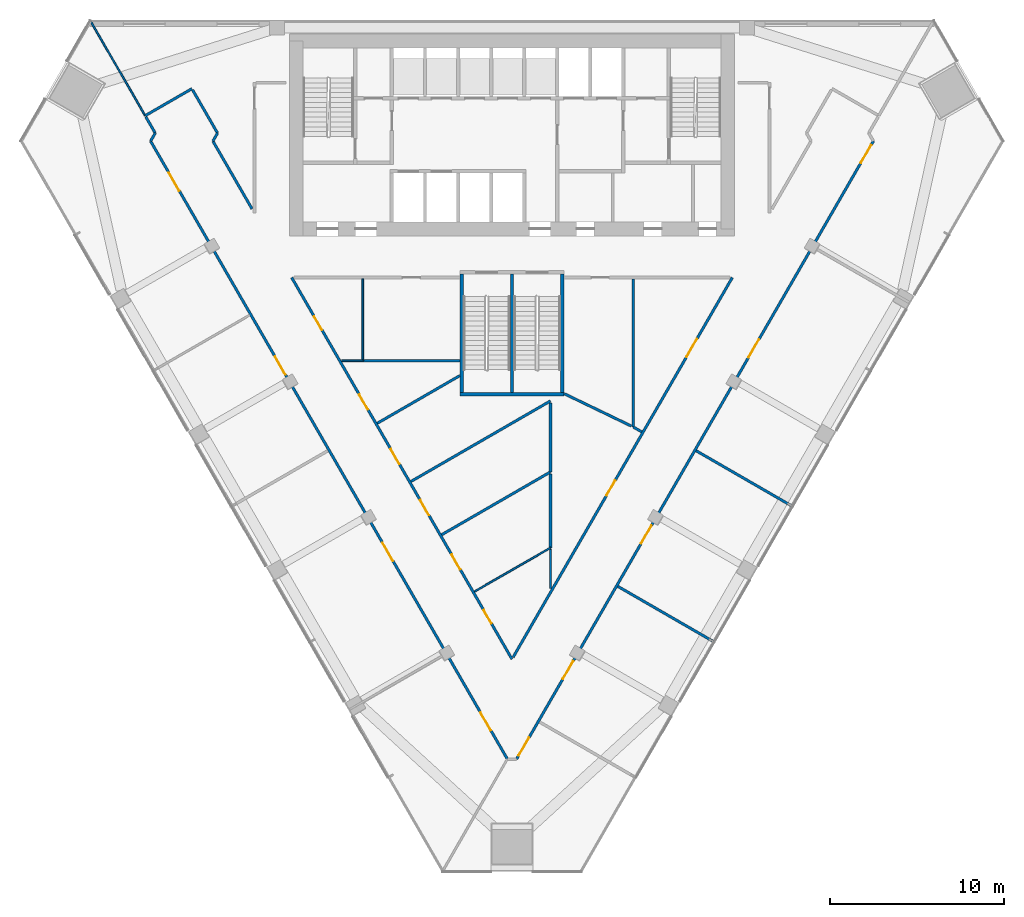
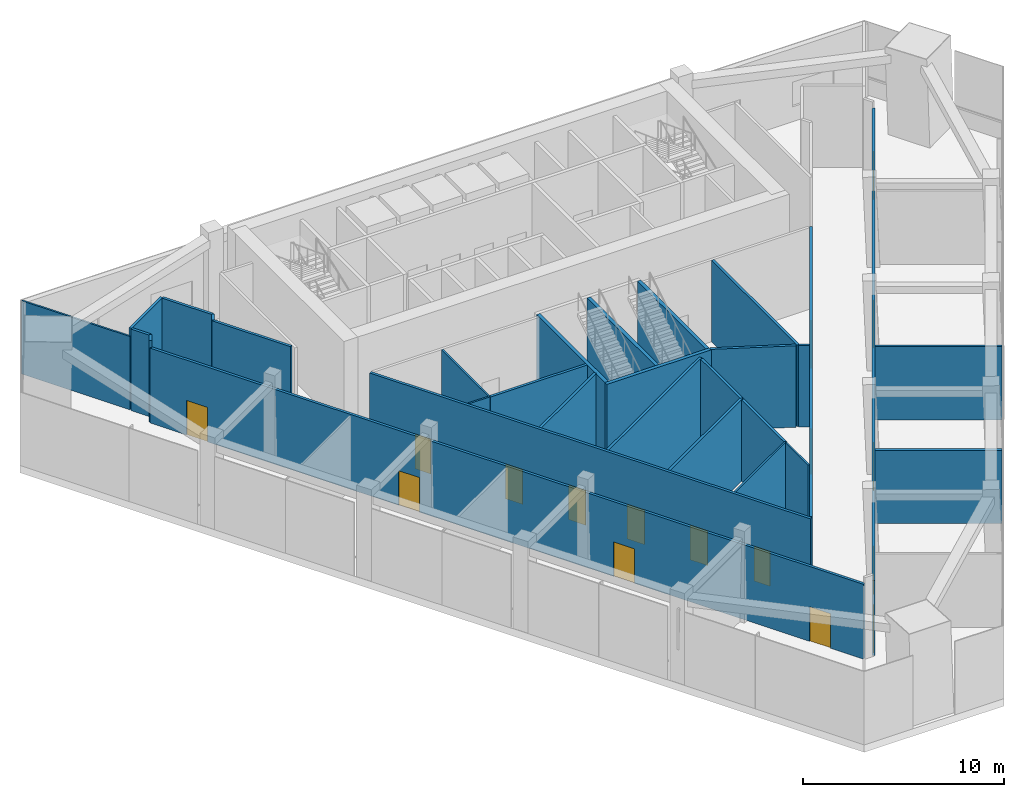
# One storey, part 7 of 12: 30 walls, 17 doors, 17 openings.
"""IFC4 building model written with IfcOpenShell, lengths in metres."""

import ifcopenshell
import ifcopenshell.guid

model = None  # the IFC model being written
_history = None  # IfcOwnerHistory: only IFC2X3 demands one
_inside = {}  # id of a spatial element -> (the spatial element, [elements in it])
_under = {}  # id of a project, library or spatial element -> (it, [spatial elements below it])
_declared = {}  # id of a project -> (the project, [libraries it declares])
_typed = {}  # id of a type object -> (the type object, [elements of that type])
_made_of = {}  # id of a material, layer set ... -> (it, [elements and type objects made of it])


def new_model(schema):
    """Start an empty IFC model of exactly this schema.

    Asked for "IFC4X3", IfcOpenShell would pick the latest addendum, in which some entities
    have other attributes; the version numbers below select the first issue.
    IFC2X3 requires an IfcOwnerHistory on every rooted entity: one is made here for all.
    """
    global model, _history
    if schema == "IFC4X3":
        model = ifcopenshell.file(schema_version=(4, 3, 0, 0))
    else:
        model = ifcopenshell.file(schema=schema)
    _inside.clear()
    _under.clear()
    _declared.clear()
    _typed.clear()
    _made_of.clear()
    _history = None
    if model.schema == "IFC2X3":
        org = make("IfcOrganization", Name="unknown")
        user = make(
            "IfcPersonAndOrganization",
            ThePerson=make("IfcPerson", FamilyName="unknown"),
            TheOrganization=org,
        )
        app = make(
            "IfcApplication",
            ApplicationDeveloper=org,
            Version="unknown",
            ApplicationFullName="unknown",
            ApplicationIdentifier="unknown",
        )
        _history = make(
            "IfcOwnerHistory",
            OwningUser=user,
            OwningApplication=app,
            ChangeAction="ADDED",
            CreationDate=0,
        )
    return model


def make(cls, **values):
    """One entity of the class cls with the attributes given. An attribute that is None is left unset."""
    return model.create_entity(
        cls, **{name: value for name, value in values.items() if value is not None}
    )


def rooted(cls, **values):
    """An entity with a GlobalId (a new one), such as an element, a storey or a relation."""
    return make(cls, GlobalId=ifcopenshell.guid.new(), OwnerHistory=_history, **values)


def si_unit(unit_type, name, prefix=None):
    """IfcSIUnit, for example si_unit("LENGTHUNIT", "METRE", prefix="MILLI")."""
    return make("IfcSIUnit", UnitType=unit_type, Prefix=prefix, Name=name)


def assignment(units):
    """IfcUnitAssignment: the units of a project."""
    return None if units is None else make("IfcUnitAssignment", Units=units)


def point(xyz):
    """IfcCartesianPoint."""
    return None if xyz is None else make("IfcCartesianPoint", Coordinates=xyz)


def direction(xyz):
    """IfcDirection."""
    return None if xyz is None else make("IfcDirection", DirectionRatios=xyz)


def frame(location, z_axis=None, x_axis=None):
    """IfcAxis2Placement3D, a coordinate frame: its origin and axes. An axis left out is left unset."""
    return make(
        "IfcAxis2Placement3D",
        Location=point(location),
        Axis=direction(z_axis),
        RefDirection=direction(x_axis),
    )


def frame_2d(location, x_axis=None):
    """IfcAxis2Placement2D, a coordinate frame in the plane: its origin and x axis."""
    return make(
        "IfcAxis2Placement2D", Location=point(location), RefDirection=direction(x_axis)
    )


def origin():
    """The frame at (0, 0, 0) with its axes left unset."""
    return frame((0.0, 0.0, 0.0))


def place(relative_to, where):
    """IfcLocalPlacement: puts the frame where relative to a parent placement (None: the world)."""
    return make(
        "IfcLocalPlacement", PlacementRelTo=relative_to, RelativePlacement=where
    )


def context(
    kind, dimensions, precision=None, world=None, true_north=None, identifier=None
):
    """IfcGeometricRepresentationContext, for example the 3D "Model" context."""
    return make(
        "IfcGeometricRepresentationContext",
        ContextIdentifier=identifier,
        ContextType=kind,
        CoordinateSpaceDimension=dimensions,
        Precision=precision,
        WorldCoordinateSystem=world,
        TrueNorth=true_north,
    )


def subcontext(parent, identifier, kind, view, scale=None):
    """IfcGeometricRepresentationSubContext, for example "Body" below "Model"."""
    return make(
        "IfcGeometricRepresentationSubContext",
        ContextIdentifier=identifier,
        ContextType=kind,
        ParentContext=parent,
        TargetScale=scale,
        TargetView=view,
    )


def project(units=None, contexts=None):
    """IfcProject with its units and contexts."""
    return rooted(
        "IfcProject",
        Name="project",
        RepresentationContexts=contexts,
        UnitsInContext=assignment(units),
    )


def spatial(cls, under=None, at=None, **own):
    """A site, building, storey or space (cls), placed at a placement, below another one or the project."""
    s = rooted(cls, ObjectPlacement=at, **own)
    if under is not None:
        _under.setdefault(under.id(), (under, []))[1].append(s)
    return s


def profile(cls, at=None, kind="AREA", **sizes):
    """A parametric profile (cls). Its sizes go by their IFC names, for example OverallWidth=200.0."""
    return make(cls, ProfileType=kind, Position=at, **sizes)


def rectangle(**sizes):
    """IfcRectangleProfileDef."""
    return profile("IfcRectangleProfileDef", **sizes)


def extrude(swept, where, along, depth):
    """IfcExtrudedAreaSolid: the profile swept, set in the frame where, extruded along a direction by depth."""
    return make(
        "IfcExtrudedAreaSolid",
        SweptArea=swept,
        Position=where,
        ExtrudedDirection=direction(along),
        Depth=depth,
    )


def shape(context_of_items, identifier, shape_type, items):
    """IfcShapeRepresentation: the items that make up one representation, for example the "Body"."""
    return make(
        "IfcShapeRepresentation",
        ContextOfItems=context_of_items,
        RepresentationIdentifier=identifier,
        RepresentationType=shape_type,
        Items=items,
    )


def material(Name=None, Category=None):
    """IfcMaterial."""
    return make("IfcMaterial", Name=Name, Category=Category)


def layer(
    of_material, thickness, ventilated=None, Name=None, Category=None, Priority=None
):
    """IfcMaterialLayer: one layer of a wall or slab, of a material (None: an air gap)."""
    return make(
        "IfcMaterialLayer",
        Material=of_material,
        LayerThickness=thickness,
        IsVentilated=ventilated,
        Name=Name,
        Category=Category,
        Priority=Priority,
    )


def layer_set(layers, Name=None):
    """IfcMaterialLayerSet."""
    return make("IfcMaterialLayerSet", MaterialLayers=layers, LayerSetName=Name)


def made_of(thing, what):
    """Note that an element or type object is made of a material, layer set ...; save() writes the relation."""
    if what is not None:
        _made_of.setdefault(what.id(), (what, []))[1].append(thing)
    return thing


def type_object(cls, material=None, **own):
    """A type object (cls), such as IfcWallType, which elements share."""
    return made_of(rooted(cls, **own), material)


def element(
    cls,
    number,
    at=None,
    inside=None,
    cuts=None,
    type_object=None,
    material=None,
    context=None,
    identifier="Body",
    shape_type=None,
    held_by="IfcProductDefinitionShape",
    body=None,
    shapes=None,
    **own,
):
    """One element of the class cls, such as IfcWall. Its Tag is "e" and its number.

    at: its placement. inside: the storey or other place that contains it. cuts: it is an
    opening in that element (IfcRelVoidsElement). A single representation is given by context,
    identifier, shape_type and body (its items); several are given by shapes. held_by: the class
    of the entity that holds the representations. save() writes the other relations.
    """
    e = rooted(cls, Tag="e%d" % number, ObjectPlacement=at, **own)
    if body is not None:
        shapes = [shape(context, identifier, shape_type, body)]
    if shapes is not None:
        e.Representation = make(held_by, Representations=shapes)
    if inside is not None:
        _inside.setdefault(inside.id(), (inside, []))[1].append(e)
    if cuts is not None:
        rooted(
            "IfcRelVoidsElement", RelatingBuildingElement=cuts, RelatedOpeningElement=e
        )
    if type_object is not None:
        _typed.setdefault(type_object.id(), (type_object, []))[1].append(e)
    return made_of(e, material)


def fill(opening, filler):
    """IfcRelFillsElement: the door or window that sits in an opening."""
    return rooted(
        "IfcRelFillsElement",
        RelatingOpeningElement=opening,
        RelatedBuildingElement=filler,
    )


def aggregate(whole, parts):
    """IfcRelAggregates: a whole, such as a stair, and the parts it consists of."""
    return rooted("IfcRelAggregates", RelatingObject=whole, RelatedObjects=parts)


def save(model, path):
    """Write the relations noted so far, then the file.

    IfcRelAggregates (storeys below a building ...), IfcRelContainedInSpatialStructure (elements
    in a storey), IfcRelDefinesByType, IfcRelAssociatesMaterial and IfcRelDeclares: one each for
    every whole, place, type object, material and project.
    """
    for whole, parts in _under.values():
        aggregate(whole, parts)
    for where, things in _inside.values():
        rooted(
            "IfcRelContainedInSpatialStructure",
            RelatedElements=things,
            RelatingStructure=where,
        )
    for kind, things in _typed.values():
        rooted("IfcRelDefinesByType", RelatedObjects=things, RelatingType=kind)
    for what, things in _made_of.values():
        rooted("IfcRelAssociatesMaterial", RelatedObjects=things, RelatingMaterial=what)
    for by, libraries in _declared.values():
        rooted("IfcRelDeclares", RelatingContext=by, RelatedDefinitions=libraries)
    model.write(path)


model = new_model("IFC4")

# Units and contexts
model_context = context("Model", 3, precision=1e-05, world=origin(), true_north=direction((0.0, 1.0)))
body_context = subcontext(model_context, "Body", "Model", "MODEL_VIEW")
ifc_project = project(units=[si_unit("LENGTHUNIT", "METRE"), si_unit("AREAUNIT", "SQUARE_METRE"), si_unit("VOLUMEUNIT", "CUBIC_METRE"), si_unit("PLANEANGLEUNIT", "RADIAN"), si_unit("MASSUNIT", "GRAM", prefix="KILO")], contexts=[model_context])

# Site, building, storey
site_placement = place(None, origin())
site = spatial("IfcSite", under=ifc_project, at=site_placement, CompositionType="ELEMENT")
building_placement = place(site_placement, origin())
building = spatial("IfcBuilding", under=site, at=building_placement, Name="Altiplano Prism Tower", CompositionType="ELEMENT")
storey_placement = place(building_placement, frame((0.0, 0.0, 118.800048828125)))
storey = spatial("IfcBuildingStorey", under=building, at=storey_placement, Name="L30", CompositionType="ELEMENT", Elevation=118.800048828125)

# Walls
ifc_material_1 = material(Name="Plasterboard on steel stud", Category="steel")
ifc_layer_1 = layer(ifc_material_1, 0.10009765625)
ifc_layer_set_1 = layer_set([ifc_layer_1], Name="Plasterboard on steel stud")
wall_type_1 = type_object("IfcWallType", Name="Partition 100 wet", PredefinedType="PARTITIONING", material=ifc_layer_set_1)
wall_1_placement = place(storey_placement, frame((75.2109375, 85.423095703125, 0.0), z_axis=(0.0, 0.0, 1.0), x_axis=(1.0, 0.0, 0.0)))
element("IfcWall", 1, at=wall_1_placement, inside=storey, type_object=wall_type_1, Name="Partition P03 L30 024", PredefinedType="PARTITIONING", context=body_context, shape_type="SweptSolid", body=[
    extrude(rectangle(XDim=1.23486328125, YDim=0.10009765625, at=frame_2d((0.617431640625, 0.0))), origin(), (0.0, 0.0, 1.0), 4.949951171875),
])
wall_2_placement = place(storey_placement, frame((76.42578125, 85.423095703125, 0.0), z_axis=(0.0, 0.0, 1.0), x_axis=(0.0, 1.0, 0.0)))
element("IfcWall", 2, at=wall_2_placement, inside=storey, type_object=wall_type_1, Name="Partition P03 L30 025", PredefinedType="PARTITIONING", context=body_context, shape_type="SweptSolid", body=[
    extrude(rectangle(XDim=4.700927734375, YDim=0.10009765625, at=frame_2d((2.3505859375, 0.0))), origin(), (0.0, 0.0, 1.0), 4.949951171875),
])
wall_3_placement = place(storey_placement, frame((87.211669921875, 74.670654296875, 0.0), z_axis=(0.0, 0.0, 1.0), x_axis=(-0.866032369777, -0.499987934352, 0.0)))
element("IfcWall", 3, at=wall_3_placement, inside=storey, type_object=wall_type_1, Name="Partition P03 L30 026", PredefinedType="PARTITIONING", context=body_context, shape_type="SweptSolid", body=[
    extrude(rectangle(XDim=5.04150390625, YDim=0.10009765625, at=frame_2d((2.520751953125, 0.0))), origin(), (0.0, 0.0, 1.0), 4.949951171875),
])
wall_4_placement = place(storey_placement, frame((87.211669921875, 72.335205078125, 0.0), z_axis=(0.0, 0.0, 1.0), x_axis=(0.0, 1.0, 0.0)))
element("IfcWall", 4, at=wall_4_placement, inside=storey, type_object=wall_type_1, Name="Partition P03 L30 027", PredefinedType="PARTITIONING", context=body_context, shape_type="SweptSolid", body=[
    extrude(rectangle(XDim=2.2490234375, YDim=0.10009765625, at=frame_2d((1.12451171875, 0.0))), origin(), (0.0, 0.0, 1.0), 4.949951171875),
])
wall_5_placement = place(storey_placement, frame((63.918701171875, 99.5009765625, 0.0), z_axis=(0.0, 0.0, 1.0), x_axis=(-0.500013984911, 0.866017329442, 0.0)))
element("IfcWall", 5, at=wall_5_placement, inside=storey, type_object=wall_type_1, Name="Partition P03 L30 033", PredefinedType="PARTITIONING", context=body_context, shape_type="SweptSolid", body=[
    extrude(rectangle(XDim=6.234130859375, YDim=0.10009765625, at=frame_2d((3.1171875, 0.0))), origin(), (0.0, 0.0, 1.0), 4.449951171875),
])

# Wall, openings, doors
ifc_layer_2 = layer(ifc_material_1, 0.14990234375)
ifc_layer_set_2 = layer_set([ifc_layer_2], Name="Plasterboard on steel stud")
wall_type_2 = type_object("IfcWallType", Name="Partition 150 corridor", PredefinedType="PARTITIONING", material=ifc_layer_set_2)
wall_6_placement = place(storey_placement, frame((85.0, 68.267822265625, 0.0), z_axis=(0.0, 0.0, 1.0), x_axis=(-0.499997290846, 0.86602696791, 0.0)))
wall_6 = element("IfcWall", 6, at=wall_6_placement, inside=storey, type_object=wall_type_2, Name="Partition P06 L30 001", PredefinedType="PARTITIONING", context=body_context, shape_type="SweptSolid", body=[
    extrude(rectangle(XDim=25.323974609375, YDim=0.14990234375, at=frame_2d((12.662109375, 0.0))), origin(), (0.0, 0.0, 1.0), 4.949951171875),
])
opening_1_placement = place(wall_6_placement, frame((21.84912109375, 0.0, 0.0)))
opening_1 = element("IfcOpeningElement", 7, at=opening_1_placement, cuts=wall_6, Name="Opening D1071", PredefinedType="OPENING", context=body_context, shape_type="SweptSolid", body=[
    extrude(rectangle(XDim=0.89990234375, YDim=2.10009765625, at=frame_2d((0.449951171875, 1.050048828125))), frame((0.0, 0.08544921875, 0.0), z_axis=(0.0, -1.0, 0.0), x_axis=(1.0, 0.0, 0.0)), (0.0, 0.0, 1.0), 0.1708984375),
])
opening_2_placement = place(wall_6_placement, frame((2.361083984375, 0.0, 0.0)))
opening_2 = element("IfcOpeningElement", 8, at=opening_2_placement, cuts=wall_6, Name="Opening D1072", PredefinedType="OPENING", context=body_context, shape_type="SweptSolid", body=[
    extrude(rectangle(XDim=0.89990234375, YDim=2.10009765625, at=frame_2d((0.449951171875, 1.050048828125))), frame((0.0, 0.08544921875, 0.0), z_axis=(0.0, -1.0, 0.0), x_axis=(1.0, 0.0, 0.0)), (0.0, 0.0, 1.0), 0.1708984375),
])
opening_3_placement = place(wall_6_placement, frame((16.56103515625, 0.0, 0.0)))
opening_3 = element("IfcOpeningElement", 9, at=opening_3_placement, cuts=wall_6, Name="Opening D1073", PredefinedType="OPENING", context=body_context, shape_type="SweptSolid", body=[
    extrude(rectangle(XDim=1.0, YDim=2.10009765625, at=frame_2d((0.5, 1.050048828125))), frame((0.0, 0.08544921875, 0.0), z_axis=(0.0, -1.0, 0.0), x_axis=(1.0, 0.0, 0.0)), (0.0, 0.0, 1.0), 0.1708984375),
])
opening_4_placement = place(wall_6_placement, frame((5.93701171875, 0.0, 0.0)))
opening_4 = element("IfcOpeningElement", 10, at=opening_4_placement, cuts=wall_6, Name="Opening D1074", PredefinedType="OPENING", context=body_context, shape_type="SweptSolid", body=[
    extrude(rectangle(XDim=1.0, YDim=2.10009765625, at=frame_2d((0.5, 1.050048828125))), frame((0.0, 0.08544921875, 0.0), z_axis=(0.0, -1.0, 0.0), x_axis=(1.0, 0.0, 0.0)), (0.0, 0.0, 1.0), 0.1708984375),
])
opening_5_placement = place(wall_6_placement, frame((9.552001953125, 0.0, 0.0)))
opening_5 = element("IfcOpeningElement", 11, at=opening_5_placement, cuts=wall_6, Name="Opening D1088", PredefinedType="OPENING", context=body_context, shape_type="SweptSolid", body=[
    extrude(rectangle(XDim=1.0, YDim=2.10009765625, at=frame_2d((0.5, 1.050048828125))), frame((0.0, 0.08544921875, 0.0), z_axis=(0.0, -1.0, 0.0), x_axis=(1.0, 0.0, 0.0)), (0.0, 0.0, 1.0), 0.1708984375),
])
opening_6_placement = place(wall_6_placement, frame((12.93896484375, 0.0, 0.0)))
opening_6 = element("IfcOpeningElement", 12, at=opening_6_placement, cuts=wall_6, Name="Opening D1091", PredefinedType="OPENING", context=body_context, shape_type="SweptSolid", body=[
    extrude(rectangle(XDim=1.0, YDim=2.10009765625, at=frame_2d((0.5, 1.050048828125))), frame((0.0, 0.08544921875, 0.0), z_axis=(0.0, -1.0, 0.0), x_axis=(1.0, 0.0, 0.0)), (0.0, 0.0, 1.0), 0.1708984375),
])
ifc_material_2 = material(Name="Timber", Category="wood")
door_type_1 = type_object("IfcDoorType", Name="Store door 1000 x 2100", OperationType="NOTDEFINED", PredefinedType="NOTDEFINED", material=ifc_material_2)
door_1_placement = place(opening_3_placement, origin())
door_1 = element("IfcDoor", 13, at=door_1_placement, inside=storey, type_object=door_type_1, Name="Door D1073", OperationType="SINGLE_SWING_LEFT", OverallHeight=2.10009765625, OverallWidth=1.0, PredefinedType="NOTDEFINED", context=body_context, shape_type="SweptSolid", body=[
    extrude(rectangle(XDim=1.0, YDim=2.10009765625, at=frame_2d((0.5, 1.050048828125))), frame((0.0, 0.02490234375, 0.0), z_axis=(0.0, -1.0, 0.0), x_axis=(1.0, 0.0, 0.0)), (0.0, 0.0, 1.0), 0.050048828125),
])
fill(opening_3, door_1)
door_2_placement = place(opening_4_placement, origin())
door_2 = element("IfcDoor", 14, at=door_2_placement, inside=storey, type_object=door_type_1, Name="Door D1074", OperationType="SINGLE_SWING_LEFT", OverallHeight=2.10009765625, OverallWidth=1.0, PredefinedType="NOTDEFINED", context=body_context, shape_type="SweptSolid", body=[
    extrude(rectangle(XDim=1.0, YDim=2.10009765625, at=frame_2d((0.5, 1.050048828125))), frame((0.0, 0.02490234375, 0.0), z_axis=(0.0, -1.0, 0.0), x_axis=(1.0, 0.0, 0.0)), (0.0, 0.0, 1.0), 0.050048828125),
])
fill(opening_4, door_2)
door_3_placement = place(opening_5_placement, origin())
door_3 = element("IfcDoor", 15, at=door_3_placement, inside=storey, type_object=door_type_1, Name="Door D1088", OperationType="SINGLE_SWING_LEFT", OverallHeight=2.10009765625, OverallWidth=1.0, PredefinedType="NOTDEFINED", context=body_context, shape_type="SweptSolid", body=[
    extrude(rectangle(XDim=1.0, YDim=2.10009765625, at=frame_2d((0.5, 1.050048828125))), frame((0.0, 0.02490234375, 0.0), z_axis=(0.0, -1.0, 0.0), x_axis=(1.0, 0.0, 0.0)), (0.0, 0.0, 1.0), 0.050048828125),
])
fill(opening_5, door_3)
door_4_placement = place(opening_6_placement, origin())
door_4 = element("IfcDoor", 16, at=door_4_placement, inside=storey, type_object=door_type_1, Name="Door D1091", OperationType="SINGLE_SWING_RIGHT", OverallHeight=2.10009765625, OverallWidth=1.0, PredefinedType="NOTDEFINED", context=body_context, shape_type="SweptSolid", body=[
    extrude(rectangle(XDim=1.0, YDim=2.10009765625, at=frame_2d((0.5, 1.050048828125))), frame((0.0, 0.02490234375, 0.0), z_axis=(0.0, -1.0, 0.0), x_axis=(1.0, 0.0, 0.0)), (0.0, 0.0, 1.0), 0.050048828125),
])
fill(opening_6, door_4)
door_type_2 = type_object("IfcDoorType", Name="Toilet door 900 x 2100", OperationType="NOTDEFINED", PredefinedType="NOTDEFINED", material=ifc_material_2)
door_5_placement = place(opening_1_placement, origin())
door_5 = element("IfcDoor", 17, at=door_5_placement, inside=storey, type_object=door_type_2, Name="Door D1071", OperationType="SINGLE_SWING_LEFT", OverallHeight=2.10009765625, OverallWidth=0.89990234375, PredefinedType="NOTDEFINED", context=body_context, shape_type="SweptSolid", body=[
    extrude(rectangle(XDim=0.89990234375, YDim=2.10009765625, at=frame_2d((0.449951171875, 1.050048828125))), frame((0.0, 0.02490234375, 0.0), z_axis=(0.0, -1.0, 0.0), x_axis=(1.0, 0.0, 0.0)), (0.0, 0.0, 1.0), 0.050048828125),
])
fill(opening_1, door_5)
door_6_placement = place(opening_2_placement, origin())
door_6 = element("IfcDoor", 18, at=door_6_placement, inside=storey, type_object=door_type_2, Name="Door D1072", OperationType="SINGLE_SWING_LEFT", OverallHeight=2.10009765625, OverallWidth=0.89990234375, PredefinedType="NOTDEFINED", context=body_context, shape_type="SweptSolid", body=[
    extrude(rectangle(XDim=0.89990234375, YDim=2.10009765625, at=frame_2d((0.449951171875, 1.050048828125))), frame((0.0, 0.02490234375, 0.0), z_axis=(0.0, -1.0, 0.0), x_axis=(1.0, 0.0, 0.0)), (0.0, 0.0, 1.0), 0.050048828125),
])
fill(opening_2, door_6)

# Walls
wall_7_placement = place(storey_placement, frame((63.9560546875, 99.435791015625, 0.0), z_axis=(0.0, 0.0, 1.0), x_axis=(0.500002782129, -0.866023797515, 0.0)))
element("IfcWall", 19, at=wall_7_placement, inside=storey, type_object=wall_type_2, Name="Partition P06 L30 002", PredefinedType="PARTITIONING", context=body_context, shape_type="SweptSolid", body=[
    extrude(rectangle(XDim=1.08056640625, YDim=0.14990234375, at=frame_2d((0.540283203125, 0.0))), origin(), (0.0, 0.0, 1.0), 4.949951171875),
])
wall_8_placement = place(storey_placement, frame((64.496337890625, 98.5, 0.0), z_axis=(0.0, 0.0, 1.0), x_axis=(-0.500040427072, -0.866002061945, 0.0)))
element("IfcWall", 20, at=wall_8_placement, inside=storey, type_object=wall_type_2, Name="Partition P06 L30 003", PredefinedType="PARTITIONING", context=body_context, shape_type="SweptSolid", body=[
    extrude(rectangle(XDim=0.53173828125, YDim=0.14990234375, at=frame_2d((0.265869140625, 0.0))), origin(), (0.0, 0.0, 1.0), 4.949951171875),
])

# Wall, openings, doors
wall_9_placement = place(storey_placement, frame((64.23046875, 98.03955078125, 0.0), z_axis=(0.0, 0.0, 1.0), x_axis=(0.500002121612, -0.866024178868, 0.0)))
wall_9 = element("IfcWall", 21, at=wall_9_placement, inside=storey, type_object=wall_type_2, Name="Partition P06 L30 004", PredefinedType="PARTITIONING", context=body_context, shape_type="SweptSolid", body=[
    extrude(rectangle(XDim=41.007080078125, YDim=0.14990234375, at=frame_2d((20.50341796875, 0.0))), origin(), (0.0, 0.0, 1.0), 4.550048828125),
])
opening_7_placement = place(wall_9_placement, frame((2.09912109375, 0.0, 0.0)))
opening_7 = element("IfcOpeningElement", 22, at=opening_7_placement, cuts=wall_9, Name="Opening D1075", PredefinedType="OPENING", context=body_context, shape_type="SweptSolid", body=[
    extrude(rectangle(XDim=1.199951171875, YDim=2.10009765625, at=frame_2d((0.60009765625, 1.050048828125))), frame((0.0, 0.08544921875, 0.0), z_axis=(0.0, -1.0, 0.0), x_axis=(1.0, 0.0, 0.0)), (0.0, 0.0, 1.0), 0.1708984375),
])
opening_8_placement = place(wall_9_placement, frame((14.303955078125, 0.0, 0.0)))
opening_8 = element("IfcOpeningElement", 23, at=opening_8_placement, cuts=wall_9, Name="Opening D1076", PredefinedType="OPENING", context=body_context, shape_type="SweptSolid", body=[
    extrude(rectangle(XDim=1.199951171875, YDim=2.10009765625, at=frame_2d((0.60009765625, 1.050048828125))), frame((0.0, 0.08544921875, 0.0), z_axis=(0.0, -1.0, 0.0), x_axis=(1.0, 0.0, 0.0)), (0.0, 0.0, 1.0), 0.1708984375),
])
opening_9_placement = place(wall_9_placement, frame((26.654052734375, 0.0, 0.0)))
opening_9 = element("IfcOpeningElement", 24, at=opening_9_placement, cuts=wall_9, Name="Opening D1077", PredefinedType="OPENING", context=body_context, shape_type="SweptSolid", body=[
    extrude(rectangle(XDim=1.199951171875, YDim=2.10009765625, at=frame_2d((0.60009765625, 1.050048828125))), frame((0.0, 0.08544921875, 0.0), z_axis=(0.0, -1.0, 0.0), x_axis=(1.0, 0.0, 0.0)), (0.0, 0.0, 1.0), 0.1708984375),
])
opening_10_placement = place(wall_9_placement, frame((37.909912109375, 0.0, 0.0)))
opening_10 = element("IfcOpeningElement", 25, at=opening_10_placement, cuts=wall_9, Name="Opening D1078", PredefinedType="OPENING", context=body_context, shape_type="SweptSolid", body=[
    extrude(rectangle(XDim=1.199951171875, YDim=2.10009765625, at=frame_2d((0.60009765625, 1.050048828125))), frame((0.0, 0.08544921875, 0.0), z_axis=(0.0, -1.0, 0.0), x_axis=(1.0, 0.0, 0.0)), (0.0, 0.0, 1.0), 0.1708984375),
])
door_type_3 = type_object("IfcDoorType", Name="Shared room door 1200 x 2100", OperationType="NOTDEFINED", PredefinedType="NOTDEFINED", material=ifc_material_2)
door_7_placement = place(opening_7_placement, origin())
door_7 = element("IfcDoor", 26, at=door_7_placement, inside=storey, type_object=door_type_3, Name="Door D1075", OperationType="SINGLE_SWING_LEFT", OverallHeight=2.10009765625, OverallWidth=1.199951171875, PredefinedType="NOTDEFINED", context=body_context, shape_type="SweptSolid", body=[
    extrude(rectangle(XDim=1.199951171875, YDim=2.10009765625, at=frame_2d((0.60009765625, 1.050048828125))), frame((0.0, 0.02490234375, 0.0), z_axis=(0.0, -1.0, 0.0), x_axis=(1.0, 0.0, 0.0)), (0.0, 0.0, 1.0), 0.050048828125),
])
fill(opening_7, door_7)
door_8_placement = place(opening_8_placement, origin())
door_8 = element("IfcDoor", 27, at=door_8_placement, inside=storey, type_object=door_type_3, Name="Door D1076", OperationType="SINGLE_SWING_RIGHT", OverallHeight=2.10009765625, OverallWidth=1.199951171875, PredefinedType="NOTDEFINED", context=body_context, shape_type="SweptSolid", body=[
    extrude(rectangle(XDim=1.199951171875, YDim=2.10009765625, at=frame_2d((0.60009765625, 1.050048828125))), frame((0.0, 0.02490234375, 0.0), z_axis=(0.0, -1.0, 0.0), x_axis=(1.0, 0.0, 0.0)), (0.0, 0.0, 1.0), 0.050048828125),
])
fill(opening_8, door_8)
door_9_placement = place(opening_9_placement, origin())
door_9 = element("IfcDoor", 28, at=door_9_placement, inside=storey, type_object=door_type_3, Name="Door D1077", OperationType="SINGLE_SWING_LEFT", OverallHeight=2.10009765625, OverallWidth=1.199951171875, PredefinedType="NOTDEFINED", context=body_context, shape_type="SweptSolid", body=[
    extrude(rectangle(XDim=1.199951171875, YDim=2.10009765625, at=frame_2d((0.60009765625, 1.050048828125))), frame((0.0, 0.02490234375, 0.0), z_axis=(0.0, -1.0, 0.0), x_axis=(1.0, 0.0, 0.0)), (0.0, 0.0, 1.0), 0.050048828125),
])
fill(opening_9, door_9)
door_10_placement = place(opening_10_placement, origin())
door_10 = element("IfcDoor", 29, at=door_10_placement, inside=storey, type_object=door_type_3, Name="Door D1078", OperationType="SINGLE_SWING_LEFT", OverallHeight=2.10009765625, OverallWidth=1.199951171875, PredefinedType="NOTDEFINED", context=body_context, shape_type="SweptSolid", body=[
    extrude(rectangle(XDim=1.199951171875, YDim=2.10009765625, at=frame_2d((0.60009765625, 1.050048828125))), frame((0.0, 0.02490234375, 0.0), z_axis=(0.0, -1.0, 0.0), x_axis=(1.0, 0.0, 0.0)), (0.0, 0.0, 1.0), 0.050048828125),
])
fill(opening_10, door_10)

wall_10_placement = place(storey_placement, frame((85.265869140625, 62.5263671875, 0.0), z_axis=(0.0, 0.0, 1.0), x_axis=(0.500002121612, 0.866024178868, 0.0)))
wall_10 = element("IfcWall", 30, at=wall_10_placement, inside=storey, type_object=wall_type_2, Name="Partition P06 L30 006", PredefinedType="PARTITIONING", context=body_context, shape_type="SweptSolid", body=[
    extrude(rectangle(XDim=41.007080078125, YDim=0.14990234375, at=frame_2d((20.50341796875, 0.0))), origin(), (0.0, 0.0, 1.0), 4.550048828125),
])
opening_11_placement = place(wall_10_placement, frame((0.22705078125, 0.0, 0.0)))
opening_11 = element("IfcOpeningElement", 31, at=opening_11_placement, cuts=wall_10, Name="Opening D1079", PredefinedType="OPENING", context=body_context, shape_type="SweptSolid", body=[
    extrude(rectangle(XDim=1.199951171875, YDim=2.10009765625, at=frame_2d((0.60009765625, 1.050048828125))), frame((0.0, 0.08544921875, 0.0), z_axis=(0.0, -1.0, 0.0), x_axis=(1.0, 0.0, 0.0)), (0.0, 0.0, 1.0), 0.1708984375),
])
opening_12_placement = place(wall_10_placement, frame((5.303955078125, 0.0, 0.0)))
opening_12 = element("IfcOpeningElement", 32, at=opening_12_placement, cuts=wall_10, Name="Opening D1080", PredefinedType="OPENING", context=body_context, shape_type="SweptSolid", body=[
    extrude(rectangle(XDim=1.199951171875, YDim=2.10009765625, at=frame_2d((0.60009765625, 1.050048828125))), frame((0.0, 0.08544921875, 0.0), z_axis=(0.0, -1.0, 0.0), x_axis=(1.0, 0.0, 0.0)), (0.0, 0.0, 1.0), 0.1708984375),
])
opening_13_placement = place(wall_10_placement, frame((14.303955078125, 0.0, 0.0)))
opening_13 = element("IfcOpeningElement", 33, at=opening_13_placement, cuts=wall_10, Name="Opening D1081", PredefinedType="OPENING", context=body_context, shape_type="SweptSolid", body=[
    extrude(rectangle(XDim=1.199951171875, YDim=2.10009765625, at=frame_2d((0.60009765625, 1.050048828125))), frame((0.0, 0.08544921875, 0.0), z_axis=(0.0, -1.0, 0.0), x_axis=(1.0, 0.0, 0.0)), (0.0, 0.0, 1.0), 0.1708984375),
])
opening_14_placement = place(wall_10_placement, frame((26.654052734375, 0.0, 0.0)))
opening_14 = element("IfcOpeningElement", 34, at=opening_14_placement, cuts=wall_10, Name="Opening D1082", PredefinedType="OPENING", context=body_context, shape_type="SweptSolid", body=[
    extrude(rectangle(XDim=1.199951171875, YDim=2.10009765625, at=frame_2d((0.60009765625, 1.050048828125))), frame((0.0, 0.08544921875, 0.0), z_axis=(0.0, -1.0, 0.0), x_axis=(1.0, 0.0, 0.0)), (0.0, 0.0, 1.0), 0.1708984375),
])
opening_15_placement = place(wall_10_placement, frame((39.549072265625, 0.0, 0.0)))
opening_15 = element("IfcOpeningElement", 35, at=opening_15_placement, cuts=wall_10, Name="Opening D1083", PredefinedType="OPENING", context=body_context, shape_type="SweptSolid", body=[
    extrude(rectangle(XDim=1.199951171875, YDim=2.10009765625, at=frame_2d((0.60009765625, 1.050048828125))), frame((0.0, 0.08544921875, 0.0), z_axis=(0.0, -1.0, 0.0), x_axis=(1.0, 0.0, 0.0)), (0.0, 0.0, 1.0), 0.1708984375),
])
door_11_placement = place(opening_11_placement, origin())
door_11 = element("IfcDoor", 36, at=door_11_placement, inside=storey, type_object=door_type_3, Name="Door D1079", OperationType="SINGLE_SWING_RIGHT", OverallHeight=2.10009765625, OverallWidth=1.199951171875, PredefinedType="NOTDEFINED", context=body_context, shape_type="SweptSolid", body=[
    extrude(rectangle(XDim=1.199951171875, YDim=2.10009765625, at=frame_2d((0.60009765625, 1.050048828125))), frame((0.0, 0.02490234375, 0.0), z_axis=(0.0, -1.0, 0.0), x_axis=(1.0, 0.0, 0.0)), (0.0, 0.0, 1.0), 0.050048828125),
])
fill(opening_11, door_11)
door_12_placement = place(opening_12_placement, origin())
door_12 = element("IfcDoor", 37, at=door_12_placement, inside=storey, type_object=door_type_3, Name="Door D1080", OperationType="SINGLE_SWING_LEFT", OverallHeight=2.10009765625, OverallWidth=1.199951171875, PredefinedType="NOTDEFINED", context=body_context, shape_type="SweptSolid", body=[
    extrude(rectangle(XDim=1.199951171875, YDim=2.10009765625, at=frame_2d((0.60009765625, 1.050048828125))), frame((0.0, 0.02490234375, 0.0), z_axis=(0.0, -1.0, 0.0), x_axis=(1.0, 0.0, 0.0)), (0.0, 0.0, 1.0), 0.050048828125),
])
fill(opening_12, door_12)
door_13_placement = place(opening_13_placement, origin())
door_13 = element("IfcDoor", 38, at=door_13_placement, inside=storey, type_object=door_type_3, Name="Door D1081", OperationType="SINGLE_SWING_LEFT", OverallHeight=2.10009765625, OverallWidth=1.199951171875, PredefinedType="NOTDEFINED", context=body_context, shape_type="SweptSolid", body=[
    extrude(rectangle(XDim=1.199951171875, YDim=2.10009765625, at=frame_2d((0.60009765625, 1.050048828125))), frame((0.0, 0.02490234375, 0.0), z_axis=(0.0, -1.0, 0.0), x_axis=(1.0, 0.0, 0.0)), (0.0, 0.0, 1.0), 0.050048828125),
])
fill(opening_13, door_13)
door_14_placement = place(opening_14_placement, origin())
door_14 = element("IfcDoor", 39, at=door_14_placement, inside=storey, type_object=door_type_3, Name="Door D1082", OperationType="SINGLE_SWING_LEFT", OverallHeight=2.10009765625, OverallWidth=1.199951171875, PredefinedType="NOTDEFINED", context=body_context, shape_type="SweptSolid", body=[
    extrude(rectangle(XDim=1.199951171875, YDim=2.10009765625, at=frame_2d((0.60009765625, 1.050048828125))), frame((0.0, 0.02490234375, 0.0), z_axis=(0.0, -1.0, 0.0), x_axis=(1.0, 0.0, 0.0)), (0.0, 0.0, 1.0), 0.050048828125),
])
fill(opening_14, door_14)
door_15_placement = place(opening_15_placement, origin())
door_15 = element("IfcDoor", 40, at=door_15_placement, inside=storey, type_object=door_type_3, Name="Door D1083", OperationType="SINGLE_SWING_LEFT", OverallHeight=2.10009765625, OverallWidth=1.199951171875, PredefinedType="NOTDEFINED", context=body_context, shape_type="SweptSolid", body=[
    extrude(rectangle(XDim=1.199951171875, YDim=2.10009765625, at=frame_2d((0.60009765625, 1.050048828125))), frame((0.0, 0.02490234375, 0.0), z_axis=(0.0, -1.0, 0.0), x_axis=(1.0, 0.0, 0.0)), (0.0, 0.0, 1.0), 0.050048828125),
])
fill(opening_15, door_15)

# Walls
wall_11_placement = place(storey_placement, frame((70.05908203125, 94.146240234375, 0.0), z_axis=(0.0, 0.0, 1.0), x_axis=(-0.499999806828, 0.866025515312, 0.0)))
element("IfcWall", 41, at=wall_11_placement, inside=storey, type_object=wall_type_2, Name="Partition P06 L30 017", PredefinedType="PARTITIONING", context=body_context, shape_type="SweptSolid", body=[
    extrude(rectangle(XDim=4.49560546875, YDim=0.14990234375, at=frame_2d((2.247802734375, 0.0))), origin(), (0.0, 0.0, 1.0), 4.949951171875),
])
wall_12_placement = place(storey_placement, frame((67.811279296875, 98.03955078125, 0.0), z_axis=(0.0, 0.0, 1.0), x_axis=(0.499298623879, 0.866429964967, 0.0)))
element("IfcWall", 42, at=wall_12_placement, inside=storey, type_object=wall_type_2, Name="Partition P06 L30 018", PredefinedType="PARTITIONING", context=body_context, shape_type="SweptSolid", body=[
    extrude(rectangle(XDim=0.531982421875, YDim=0.14990234375, at=frame_2d((0.26611328125, 0.0))), origin(), (0.0, 0.0, 1.0), 4.949951171875),
])
wall_13_placement = place(storey_placement, frame((68.076904296875, 98.50048828125, 0.0), z_axis=(0.0, 0.0, 1.0), x_axis=(-0.500036638401, 0.866004249561, 0.0)))
element("IfcWall", 43, at=wall_13_placement, inside=storey, type_object=wall_type_2, Name="Partition P06 L30 019", PredefinedType="PARTITIONING", context=body_context, shape_type="SweptSolid", body=[
    extrude(rectangle(XDim=2.869873046875, YDim=0.14990234375, at=frame_2d((1.43505859375, 0.0))), origin(), (0.0, 0.0, 1.0), 4.949951171875),
])
wall_14_placement = place(storey_placement, frame((66.6044921875, 101.05078125, 0.0), z_axis=(0.0, 0.0, 1.0), x_axis=(-0.866142327685, -0.499797427156, 0.0)))
element("IfcWall", 44, at=wall_14_placement, inside=storey, type_object=wall_type_2, Name="Partition P06 L30 020", PredefinedType="PARTITIONING", context=body_context, shape_type="SweptSolid", body=[
    extrude(rectangle(XDim=3.100830078125, YDim=0.14990234375, at=frame_2d((1.55029296875, 0.0))), origin(), (0.0, 0.0, 1.0), 4.949951171875),
])

# Wall, openings, doors
wall_15_placement = place(storey_placement, frame((97.661865234375, 90.198974609375, 0.0), z_axis=(0.0, 0.0, 1.0), x_axis=(-0.499998428639, -0.866026311008, 0.0)))
wall_15 = element("IfcWall", 45, at=wall_15_placement, inside=storey, type_object=wall_type_2, Name="Partition P06 L30 021", PredefinedType="PARTITIONING", context=body_context, shape_type="SweptSolid", body=[
    extrude(rectangle(XDim=25.19384765625, YDim=0.14990234375, at=frame_2d((12.596923828125, 0.0))), origin(), (0.0, 0.0, 1.0), 4.949951171875),
])
opening_16_placement = place(wall_15_placement, frame((13.467041015625, 0.0, 0.0)))
opening_16 = element("IfcOpeningElement", 46, at=opening_16_placement, cuts=wall_15, Name="Opening D1086", PredefinedType="OPENING", context=body_context, shape_type="SweptSolid", body=[
    extrude(rectangle(XDim=1.0, YDim=2.10009765625, at=frame_2d((0.5, 1.050048828125))), frame((0.0, 0.08544921875, 0.0), z_axis=(0.0, -1.0, 0.0), x_axis=(1.0, 0.0, 0.0)), (0.0, 0.0, 1.0), 0.1708984375),
])
opening_17_placement = place(wall_15_placement, frame((4.06689453125, 0.0, 0.0)))
opening_17 = element("IfcOpeningElement", 47, at=opening_17_placement, cuts=wall_15, Name="Opening D1089", PredefinedType="OPENING", context=body_context, shape_type="SweptSolid", body=[
    extrude(rectangle(XDim=1.199951171875, YDim=2.10009765625, at=frame_2d((0.60009765625, 1.050048828125))), frame((0.0, 0.08544921875, 0.0), z_axis=(0.0, -1.0, 0.0), x_axis=(1.0, 0.0, 0.0)), (0.0, 0.0, 1.0), 0.1708984375),
])
door_type_4 = type_object("IfcDoorType", Name="Room door 1000 x 2100", OperationType="NOTDEFINED", PredefinedType="NOTDEFINED", material=ifc_material_2)
door_16_placement = place(opening_16_placement, origin())
door_16 = element("IfcDoor", 48, at=door_16_placement, inside=storey, type_object=door_type_4, Name="Door D1086", OperationType="SINGLE_SWING_LEFT", OverallHeight=2.10009765625, OverallWidth=1.0, PredefinedType="NOTDEFINED", context=body_context, shape_type="SweptSolid", body=[
    extrude(rectangle(XDim=1.0, YDim=2.10009765625, at=frame_2d((0.5, 1.050048828125))), frame((0.0, 0.02490234375, 0.0), z_axis=(0.0, -1.0, 0.0), x_axis=(1.0, 0.0, 0.0)), (0.0, 0.0, 1.0), 0.050048828125),
])
fill(opening_16, door_16)
door_17_placement = place(opening_17_placement, origin())
door_17 = element("IfcDoor", 49, at=door_17_placement, inside=storey, type_object=door_type_3, Name="Door D1089", OperationType="SINGLE_SWING_RIGHT", OverallHeight=2.10009765625, OverallWidth=1.199951171875, PredefinedType="NOTDEFINED", context=body_context, shape_type="SweptSolid", body=[
    extrude(rectangle(XDim=1.199951171875, YDim=2.10009765625, at=frame_2d((0.60009765625, 1.050048828125))), frame((0.0, 0.02490234375, 0.0), z_axis=(0.0, -1.0, 0.0), x_axis=(1.0, 0.0, 0.0)), (0.0, 0.0, 1.0), 0.050048828125),
])
fill(opening_17, door_17)

# Walls
ifc_layer_3 = layer(ifc_material_1, 0.14990234375)
ifc_layer_set_3 = layer_set([ifc_layer_3], Name="Plasterboard on steel stud")
wall_type_3 = type_object("IfcWallType", Name="Partition 150 party", PredefinedType="PARTITIONING", material=ifc_layer_set_3)
wall_16_placement = place(storey_placement, frame((82.0, 85.423095703125, 0.0), z_axis=(0.0, 0.0, 1.0), x_axis=(-1.0, 0.0, 0.0)))
element("IfcWall", 50, at=wall_16_placement, inside=storey, type_object=wall_type_3, Name="Partition P01 L30 028", PredefinedType="PARTITIONING", context=body_context, shape_type="SweptSolid", body=[
    extrude(rectangle(XDim=5.57421875, YDim=0.14990234375, at=frame_2d((2.787109375, 0.0))), origin(), (0.0, 0.0, 1.0), 4.949951171875),
])
wall_17_placement = place(storey_placement, frame((77.259765625, 81.82421875, 0.0), z_axis=(0.0, 0.0, 1.0), x_axis=(0.866041488821, 0.499972138865, 0.0)))
element("IfcWall", 51, at=wall_17_placement, inside=storey, type_object=wall_type_3, Name="Partition P01 L30 029", PredefinedType="PARTITIONING", context=body_context, shape_type="SweptSolid", body=[
    extrude(rectangle(XDim=5.473388671875, YDim=0.14990234375, at=frame_2d((2.73681640625, 0.0))), origin(), (0.0, 0.0, 1.0), 4.949951171875),
])
wall_18_placement = place(storey_placement, frame((87.211669921875, 74.647705078125, 0.0), z_axis=(0.0, 0.0, 1.0), x_axis=(0.0, 1.0, 0.0)))
element("IfcWall", 52, at=wall_18_placement, inside=storey, type_object=wall_type_3, Name="Partition P01 L30 030", PredefinedType="PARTITIONING", context=body_context, shape_type="SweptSolid", body=[
    extrude(rectangle(XDim=4.250732421875, YDim=0.14990234375, at=frame_2d((2.12548828125, 0.0))), origin(), (0.0, 0.0, 1.0), 4.949951171875),
])
wall_19_placement = place(storey_placement, frame((87.211669921875, 79.0283203125, 0.0), z_axis=(0.0, 0.0, 1.0), x_axis=(-0.866035248994, -0.499982947209, 0.0)))
element("IfcWall", 53, at=wall_19_placement, inside=storey, type_object=wall_type_3, Name="Partition P01 L30 031", PredefinedType="PARTITIONING", context=body_context, shape_type="SweptSolid", body=[
    extrude(rectangle(XDim=7.220458984375, YDim=0.14990234375, at=frame_2d((3.6103515625, 0.0))), origin(), (0.0, 0.0, 1.0), 4.949951171875),
])
for number, where, z_axis, x_axis, name in (
    (54, (96.560302734375, 69.288818359375, 0.0), (0.0, 0.0, 1.0), (-0.866042250622, 0.499970819286, 0.0), "Partition P01 L30 038"),
    (55, (101.060302734375, 77.0830078125, 0.0), (0.0, 0.0, 1.0), (-0.866042250622, 0.499970819286, 0.0), "Partition P01 L30 039"),
):
    element("IfcWall", number, at=place(storey_placement, frame(where, z_axis=z_axis, x_axis=x_axis)), inside=storey, type_object=wall_type_3, Name=name, PredefinedType="PARTITIONING", context=body_context, shape_type="SweptSolid", body=[
        extrude(rectangle(XDim=6.3251953125, YDim=0.14990234375, at=frame_2d((3.16259765625, 0.0))), origin(), (0.0, 0.0, 1.0), 4.449951171875),
    ])
wall_20_placement = place(storey_placement, frame((91.865478515625, 81.660888671875, 0.0), z_axis=(0.0, 0.0, 1.0), x_axis=(-0.900897031279, 0.434032877825, 0.0)))
element("IfcWall", 56, at=wall_20_placement, inside=storey, type_object=wall_type_3, Name="Partition P01 L30 042", PredefinedType="PARTITIONING", context=body_context, shape_type="SweptSolid", body=[
    extrude(rectangle(XDim=4.290771484375, YDim=0.14990234375, at=frame_2d((2.1455078125, 0.0))), origin(), (0.0, 0.0, 1.0), 4.949951171875),
])
wall_21_placement = place(storey_placement, frame((87.211669921875, 82.978271484375, 0.0), z_axis=(0.0, 0.0, 1.0), x_axis=(0.0, -1.0, 0.0)))
element("IfcWall", 57, at=wall_21_placement, inside=storey, type_object=wall_type_3, Name="Partition P01 L30 043", PredefinedType="PARTITIONING", context=body_context, shape_type="SweptSolid", body=[
    extrude(rectangle(XDim=3.949951171875, YDim=0.14990234375, at=frame_2d((1.97509765625, 0.0))), origin(), (0.0, 0.0, 1.0), 4.949951171875),
])
wall_22_placement = place(storey_placement, frame((92.455322265625, 81.330810546875, 0.0), z_axis=(0.0, 0.0, 1.0), x_axis=(-0.866185586049, 0.49972245349, 0.0)))
element("IfcWall", 58, at=wall_22_placement, inside=storey, type_object=wall_type_3, Name="Partition P01 L30 044", PredefinedType="PARTITIONING", context=body_context, shape_type="SweptSolid", body=[
    extrude(rectangle(XDim=0.556884765625, YDim=0.14990234375, at=frame_2d((0.2783203125, 0.0))), origin(), (0.0, 0.0, 1.0), 4.949951171875),
])
wall_23_placement = place(storey_placement, frame((91.972900390625, 81.609130859375, 0.0), z_axis=(0.0, 0.0, 1.0), x_axis=(0.0, 1.0, 0.0)))
element("IfcWall", 59, at=wall_23_placement, inside=storey, type_object=wall_type_3, Name="Partition P01 L30 045", PredefinedType="PARTITIONING", context=body_context, shape_type="SweptSolid", body=[
    extrude(rectangle(XDim=8.514892578125, YDim=0.14990234375, at=frame_2d((4.25732421875, 0.0))), origin(), (0.0, 0.0, 1.0), 4.949951171875),
])
wall_24_placement = place(storey_placement, frame((87.211669921875, 83.108154296875, 0.0), z_axis=(0.0, 0.0, 1.0), x_axis=(-0.866018314414, -0.500012278948, 0.0)))
element("IfcWall", 60, at=wall_24_placement, inside=storey, type_object=wall_type_3, Name="Partition P01 L30 046", PredefinedType="PARTITIONING", context=body_context, shape_type="SweptSolid", body=[
    extrude(rectangle(XDim=9.260498046875, YDim=0.14990234375, at=frame_2d((4.63037109375, 0.0))), origin(), (0.0, 0.0, 1.0), 4.949951171875),
])
ifc_material_3 = material(Name="Concrete C60/75", Category="concrete")
ifc_layer_4 = layer(ifc_material_3, 0.199951171875)
ifc_layer_set_4 = layer_set([ifc_layer_4], Name="Concrete C60/75")
wall_type_4 = type_object("IfcWallType", Name="Stair wall 200", PredefinedType="SOLIDWALL", material=ifc_layer_set_4)
wall_25_placement = place(storey_placement, frame((82.0, 83.5, 0.0), z_axis=(0.0, 0.0, 1.0), x_axis=(1.0, 0.0, 0.0)))
element("IfcWall", 61, at=wall_25_placement, inside=storey, type_object=wall_type_4, Name="Stair 3 wall south L30", PredefinedType="SOLIDWALL", context=body_context, shape_type="SweptSolid", body=[
    extrude(rectangle(XDim=6.0, YDim=0.199951171875, at=frame_2d((3.0, 0.0))), origin(), (0.0, 0.0, 1.0), 4.949951171875),
])
for number, where, z_axis, x_axis, name in (
    (62, (82.10009765625, 83.60009765625, 0.0), (0.0, 0.0, 1.0), (0.0, 1.0, 0.0), "Stair 3 wall west L30"),
    (63, (87.89990234375, 83.60009765625, 0.0), (0.0, 0.0, 1.0), (0.0, 1.0, 0.0), "Stair 3 wall east L30"),
    (64, (85.0, 83.60009765625, 0.0), (0.0, 0.0, 1.0), (0.0, 1.0, 0.0), "Stair 3 wall divider L30"),
):
    element("IfcWall", number, at=place(storey_placement, frame(where, z_axis=z_axis, x_axis=x_axis)), inside=storey, type_object=wall_type_4, Name=name, PredefinedType="SOLIDWALL", context=body_context, shape_type="SweptSolid", body=[
        extrude(rectangle(XDim=6.7998046875, YDim=0.199951171875, at=frame_2d((3.39990234375, 0.0))), origin(), (0.0, 0.0, 1.0), 4.949951171875),
    ])

save(model, "model.ifc")
